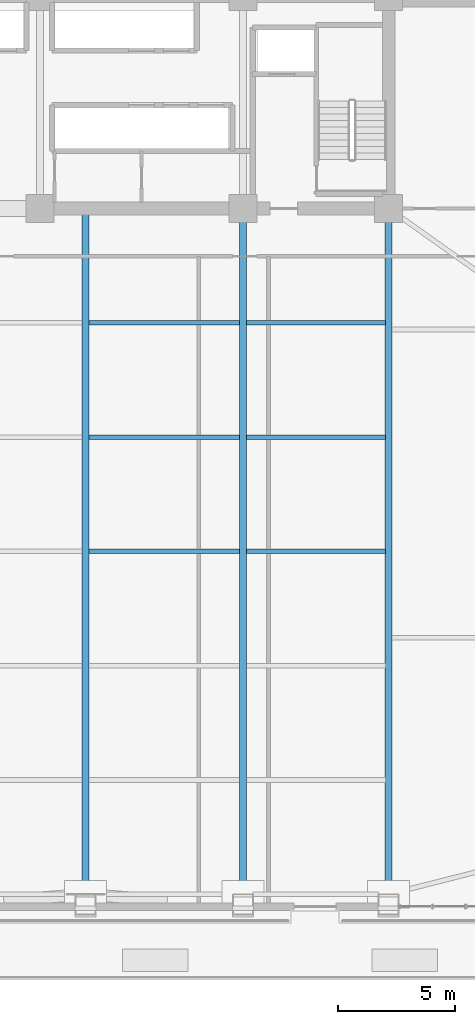
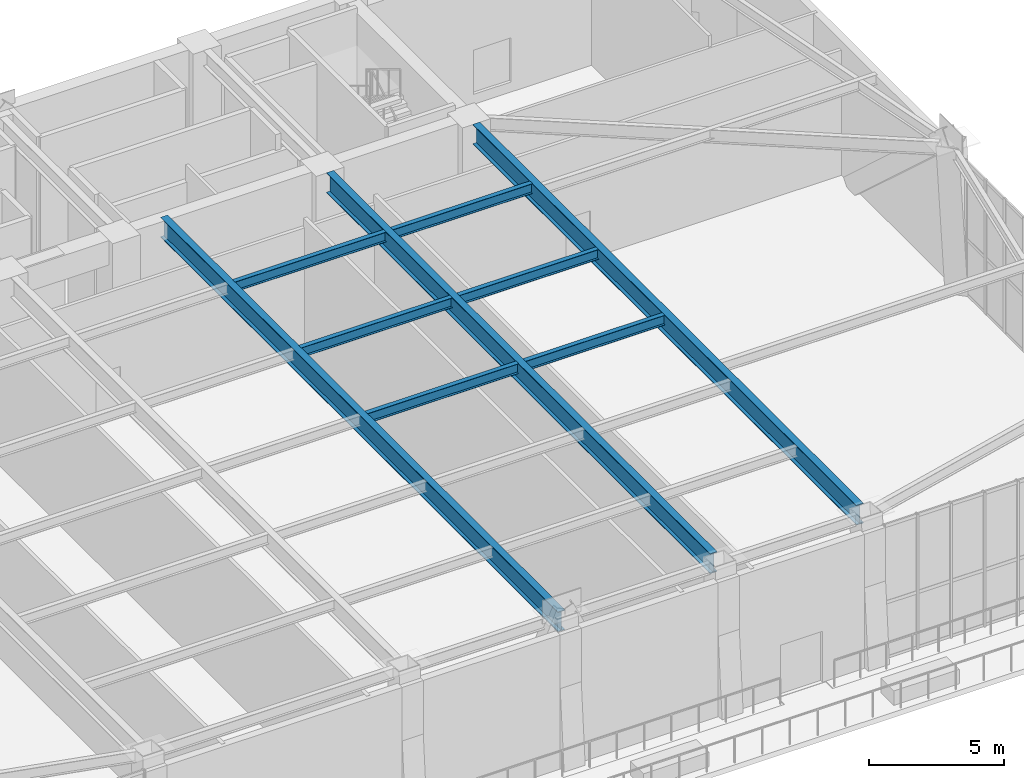
# One storey, part 10 of 22: 9 beams.
"""IFC4 building model written with IfcOpenShell, lengths in metres."""

from ifc_helpers import new_model, si_unit, direction, frame, origin, origin_2d, place, context, subcontext, project, spatial, i_section, extrude, source, transform, mapped, material, material_profile, profile_set, type_object, element, save


model = new_model("IFC4")

# Units and contexts
model_context = context("Model", 3, precision=1e-05, world=origin(), true_north=direction((0.0, 1.0)))
body_context = subcontext(model_context, "Body", "Model", "MODEL_VIEW")
ifc_project = project(units=[si_unit("LENGTHUNIT", "METRE"), si_unit("AREAUNIT", "SQUARE_METRE"), si_unit("VOLUMEUNIT", "CUBIC_METRE"), si_unit("PLANEANGLEUNIT", "RADIAN"), si_unit("MASSUNIT", "GRAM", prefix="KILO")], contexts=[model_context])

# Site, building, storey
site_placement = place(None, origin())
site = spatial("IfcSite", under=ifc_project, at=site_placement, CompositionType="ELEMENT")
building_placement = place(site_placement, origin())
building = spatial("IfcBuilding", under=site, at=building_placement, Name="Giltprow Tower", CompositionType="ELEMENT")
storey_placement = place(building_placement, frame((0.0, 0.0, 130.89990234375)))
storey = spatial("IfcBuildingStorey", under=building, at=storey_placement, Name="L32", CompositionType="ELEMENT", Elevation=130.89990234375)

# Beams
ifc_material = material(Name="Structural steel Q355B", Category="steel")
ifc_material_profile_1 = material_profile(ifc_material, i_section(OverallWidth=0.199951171875, OverallDepth=0.449951171875, WebThickness=0.009033203125, FlangeThickness=0.013916015625, at=origin_2d()), Name="HN 450x200x9x14")
ifc_profile_set_1 = profile_set([ifc_material_profile_1], Name="Structural steel Q355B")
beam_type_1 = type_object("IfcBeamType", Name="BM-JOIST-HN450", PredefinedType="JOIST", material=ifc_profile_set_1)
shared_shape_1 = source(origin(), body_context, "Body", "SweptSolid", [
    extrude(i_section(OverallWidth=0.199951171875, OverallDepth=0.449951171875, WebThickness=0.009033203125, FlangeThickness=0.013916015625, at=origin_2d()), origin(), (0.0, 0.0, 1.0), 6.4599609375),
])
for number, where, z_axis, x_axis, name in (
    (1, (37.695068359375, 22.748046875, 6.34521484375), (1.0, 0.0, 0.0), (0.0, 1.0, 0.0), "L32 Composite Floor Joist 3-3"),
    (2, (37.695068359375, 27.64794921875, 6.34521484375), (1.0, 0.0, 0.0), (0.0, 1.0, 0.0), "L32 Composite Floor Joist 4-3"),
    (3, (37.695068359375, 32.549072265625, 6.34521484375), (1.0, 0.0, 0.0), (0.0, 1.0, 0.0), "L32 Composite Floor Joist 5-3"),
):
    element("IfcBeam", number, at=place(storey_placement, frame(where, z_axis=z_axis, x_axis=x_axis)), inside=storey, type_object=beam_type_1, Name=name, PredefinedType="JOIST", context=body_context, shape_type="MappedRepresentation", body=[
        mapped(shared_shape_1, transform((0.0, 0.0, 0.0), x_axis=(1.0, 0.0, 0.0), y_axis=(0.0, 1.0, 0.0), z_axis=(0.0, 0.0, 1.0), scale=1.0)),
    ])
shared_shape_2 = source(origin(), body_context, "Body", "SweptSolid", [
    extrude(i_section(OverallWidth=0.199951171875, OverallDepth=0.449951171875, WebThickness=0.009033203125, FlangeThickness=0.013916015625, at=origin_2d()), origin(), (0.0, 0.0, 1.0), 5.9599609375),
])
for number, where, z_axis, x_axis, name in (
    (4, (44.445068359375, 22.748046875, 6.34521484375), (1.0, 0.0, 0.0), (0.0, 1.0, 0.0), "L32 Composite Floor Joist 3-4"),
    (5, (44.445068359375, 27.64794921875, 6.34521484375), (1.0, 0.0, 0.0), (0.0, 1.0, 0.0), "L32 Composite Floor Joist 4-4"),
    (6, (44.445068359375, 32.549072265625, 6.34521484375), (1.0, 0.0, 0.0), (0.0, 1.0, 0.0), "L32 Composite Floor Joist 5-4"),
):
    element("IfcBeam", number, at=place(storey_placement, frame(where, z_axis=z_axis, x_axis=x_axis)), inside=storey, type_object=beam_type_1, Name=name, PredefinedType="JOIST", context=body_context, shape_type="MappedRepresentation", body=[
        mapped(shared_shape_2, transform((0.0, 0.0, 0.0), x_axis=(1.0, 0.0, 0.0), y_axis=(0.0, 1.0, 0.0), z_axis=(0.0, 0.0, 1.0), scale=1.0)),
    ])
ifc_material_profile_2 = material_profile(ifc_material, i_section(OverallWidth=0.300048828125, OverallDepth=0.89990234375, WebThickness=0.01611328125, FlangeThickness=0.028076171875, at=origin_2d()), Name="HN 900x300x16x28")
ifc_profile_set_2 = profile_set([ifc_material_profile_2], Name="Structural steel Q355B")
beam_type_2 = type_object("IfcBeamType", Name="BM-GIRD-HN900", PredefinedType="BEAM", material=ifc_profile_set_2)
shared_shape_3 = source(origin(), body_context, "Body", "SweptSolid", [
    extrude(i_section(OverallWidth=0.300048828125, OverallDepth=0.89990234375, WebThickness=0.01611328125, FlangeThickness=0.028076171875, at=origin_2d()), origin(), (0.0, 0.0, 1.0), 28.385009765625),
])
for number, where, z_axis, x_axis, name in (
    (7, (44.300048828125, 8.47998046875, 6.1201171875), (0.0, 1.0, 0.0), (-1.0, 0.0, 0.0), "L32 Primary Lease Girder S3"),
    (8, (50.550048828125, 8.47998046875, 6.1201171875), (0.0, 1.0, 0.0), (-1.0, 0.0, 0.0), "L32 Primary Lease Girder S4"),
):
    element("IfcBeam", number, at=place(storey_placement, frame(where, z_axis=z_axis, x_axis=x_axis)), inside=storey, type_object=beam_type_2, Name=name, PredefinedType="BEAM", context=body_context, shape_type="MappedRepresentation", body=[
        mapped(shared_shape_3, transform((0.0, 0.0, 0.0), x_axis=(1.0, 0.0, 0.0), y_axis=(0.0, 1.0, 0.0), z_axis=(0.0, 0.0, 1.0), scale=1.0)),
    ])
shared_shape_4 = source(origin(), body_context, "Body", "SweptSolid", [
    extrude(i_section(OverallWidth=0.300048828125, OverallDepth=0.89990234375, WebThickness=0.01611328125, FlangeThickness=0.028076171875, at=origin_2d()), origin(), (0.0, 0.0, 1.0), 29.405029296875),
])
beam_placement = place(storey_placement, frame((37.550048828125, 8.044921875, 6.1201171875), z_axis=(0.0, 1.0, 0.0), x_axis=(-1.0, 0.0, 0.0)))
element("IfcBeam", 9, at=beam_placement, inside=storey, type_object=beam_type_2, Name="L32 Central Lease Girder SMID", PredefinedType="BEAM", context=body_context, shape_type="MappedRepresentation", body=[
    mapped(shared_shape_4, transform((0.0, 0.0, 0.0), x_axis=(1.0, 0.0, 0.0), y_axis=(0.0, 1.0, 0.0), z_axis=(0.0, 0.0, 1.0), scale=1.0)),
])

save(model, "model.ifc")
